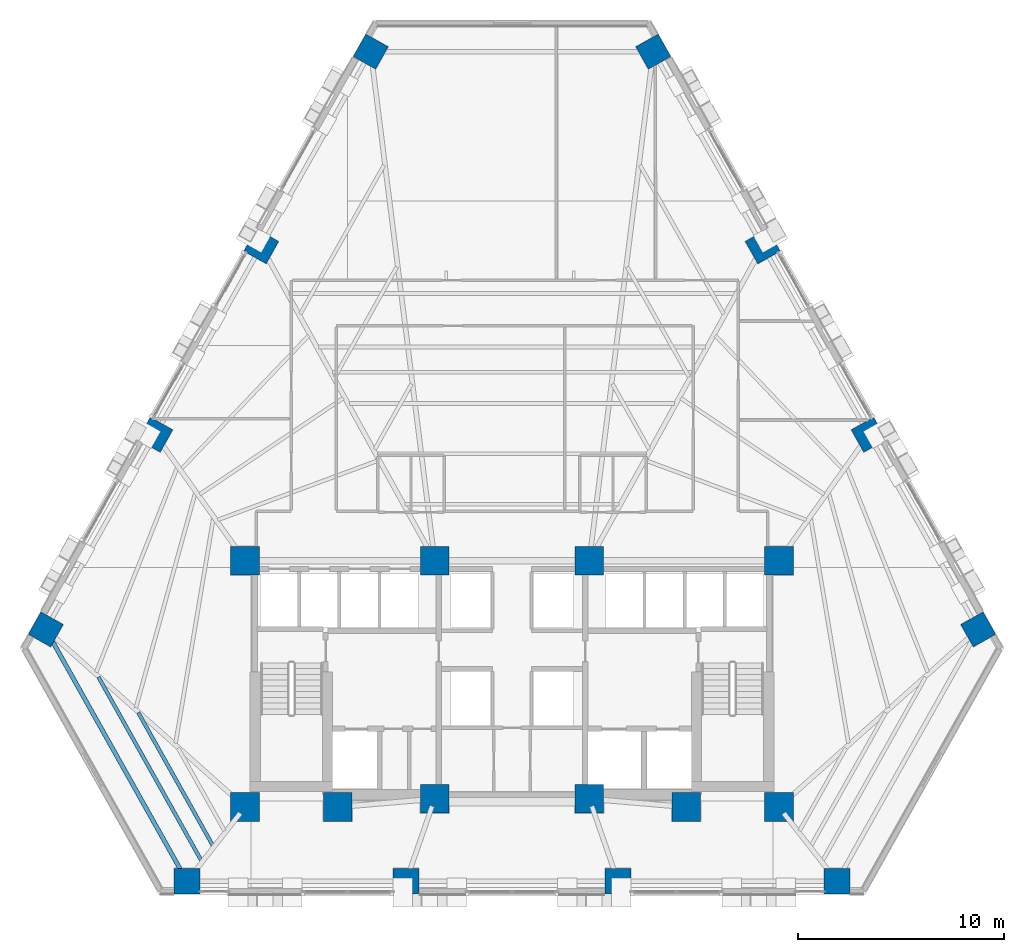
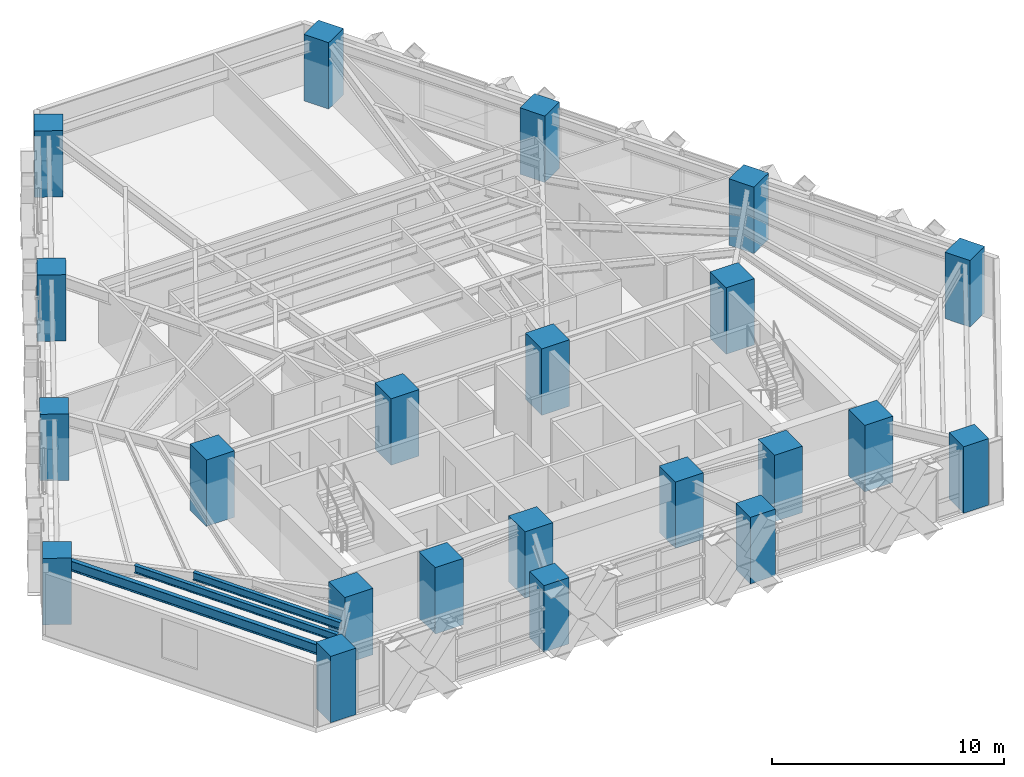
# One storey, part 1 of 13: 22 columns, 3 beams.
"""IFC4 building model written with IfcOpenShell, lengths in metres."""

from ifc_helpers import new_model, si_unit, direction, frame, origin, origin_2d, place, context, subcontext, project, spatial, rectangle, i_section, extrude, material, material_profile, profile_set, type_object, element, save


model = new_model("IFC4")

# Units and contexts
model_context = context("Model", 3, precision=1e-05, world=origin(), true_north=direction((0.0, 1.0)))
body_context = subcontext(model_context, "Body", "Model", "MODEL_VIEW")
ifc_project = project(units=[si_unit("LENGTHUNIT", "METRE"), si_unit("AREAUNIT", "SQUARE_METRE"), si_unit("VOLUMEUNIT", "CUBIC_METRE"), si_unit("PLANEANGLEUNIT", "RADIAN"), si_unit("MASSUNIT", "GRAM", prefix="KILO")], contexts=[model_context])

# Site, building, storey
site_placement = place(None, origin())
site = spatial("IfcSite", under=ifc_project, at=site_placement, CompositionType="ELEMENT")
building_placement = place(site_placement, origin())
building = spatial("IfcBuilding", under=site, at=building_placement, Name="Quenlor Broadcast Tower", CompositionType="ELEMENT")
storey_placement = place(building_placement, frame((0.0, 0.0, 52.10009765625)))
storey = spatial("IfcBuildingStorey", under=building, at=storey_placement, Name="L13", CompositionType="ELEMENT", Elevation=52.10009765625)

# Columns
ifc_material_1 = material(Name="Concrete C65/80", Category="concrete")
ifc_material_profile_1 = material_profile(ifc_material_1, rectangle(XDim=1.39990234375, YDim=1.39990234375, at=origin_2d()))
ifc_profile_set_1 = profile_set([ifc_material_profile_1], Name="Concrete C65/80 RC1400x1400")
column_type_1 = type_object("IfcColumnType", Name="Core Corner Column Lower Concrete C65/80 1400", PredefinedType="COLUMN", material=ifc_profile_set_1)
for number, where, z_axis, x_axis, name in (
    (1, (-12.949951171875, -16.75, 0.0), (0.0, 0.0, 1.0), (1.0, 0.0, 0.0), "L13 Core Column CC1"),
    (2, (-8.449951171875, -16.75, 0.0), (0.0, 0.0, 1.0), (1.0, 0.0, 0.0), "L13 Core Column CC2"),
    (3, (-3.75, -16.35009765625, 0.0), (0.0, 0.0, 1.0), (1.0, 0.0, 0.0), "L13 Core Column CC3"),
    (4, (3.75, -16.35009765625, 0.0), (0.0, 0.0, 1.0), (1.0, 0.0, 0.0), "L13 Core Column CC4"),
    (5, (8.449951171875, -16.75, 0.0), (0.0, 0.0, 1.0), (1.0, 0.0, 0.0), "L13 Core Column CC5"),
    (6, (12.949951171875, -16.75, 0.0), (0.0, 0.0, 1.0), (1.0, 0.0, 0.0), "L13 Core Column CC6"),
    (7, (-12.949951171875, -4.800048828125, 0.0), (0.0, 0.0, 1.0), (1.0, 0.0, 0.0), "L13 Core Column CC7"),
    (8, (-3.75, -4.800048828125, 0.0), (0.0, 0.0, 1.0), (1.0, 0.0, 0.0), "L13 Core Column CC8"),
    (9, (3.75, -4.800048828125, 0.0), (0.0, 0.0, 1.0), (1.0, 0.0, 0.0), "L13 Core Column CC9"),
    (10, (12.949951171875, -4.800048828125, 0.0), (0.0, 0.0, 1.0), (1.0, 0.0, 0.0), "L13 Core Column CC10"),
):
    element("IfcColumn", number, at=place(storey_placement, frame(where, z_axis=z_axis, x_axis=x_axis)), inside=storey, type_object=column_type_1, Name=name, PredefinedType="COLUMN", context=body_context, shape_type="SweptSolid", body=[
        extrude(rectangle(XDim=1.39990234375, YDim=1.39990234375, at=origin_2d()), origin(), (0.0, 0.0, 1.0), 3.5),
    ])
ifc_material_2 = material(Name="Concrete C65/80", Category="concrete")
ifc_material_profile_2 = material_profile(ifc_material_2, rectangle(XDim=1.25, YDim=1.25, at=origin_2d()))
ifc_profile_set_2 = profile_set([ifc_material_profile_2], Name="Concrete C65/80 RC1250x1250")
column_type_2 = type_object("IfcColumnType", Name="Tower Perimeter Column Z1 Concrete C65/80 1250", PredefinedType="COLUMN", material=ifc_profile_set_2)
for number, where, z_axis, x_axis, name in (
    (11, (-15.76513671875, -20.35009765625, 0.0), (0.0, 0.0, 1.0), (0.0, 1.0, 0.0), "L13 Perimeter Column S1"),
    (12, (-5.140869140625, -20.35009765625, 0.0), (0.0, 0.0, 1.0), (0.0, 1.0, 0.0), "L13 Perimeter Column S2"),
    (13, (5.140869140625, -20.35009765625, 0.0), (0.0, 0.0, 1.0), (0.0, 1.0, 0.0), "L13 Perimeter Column S3"),
    (14, (15.76513671875, -20.35009765625, 0.0), (0.0, 0.0, 1.0), (0.0, 1.0, 0.0), "L13 Perimeter Column S4"),
    (15, (22.6162109375, -8.132080078125, 0.0), (0.0, 0.0, 1.0), (0.871575139605, 0.490261946333, 0.0), "L13 Perimeter Column NE1"),
    (16, (17.303955078125, 1.311767578125, 0.0), (0.0, 0.0, 1.0), (0.871575139605, 0.490261946333, 0.0), "L13 Perimeter Column NE2"),
    (17, (12.1630859375, 10.450927734375, 0.0), (0.0, 0.0, 1.0), (0.871575139605, 0.490261946333, 0.0), "L13 Perimeter Column NE3"),
    (18, (6.850830078125, 19.894775390625, 0.0), (0.0, 0.0, 1.0), (0.871575139605, 0.490261946333, 0.0), "L13 Perimeter Column NE4"),
    (19, (-6.850830078125, 19.894775390625, 0.0), (0.0, 0.0, 1.0), (-0.871575139605, 0.490261946333, 0.0), "L13 Perimeter Column NW1"),
    (20, (-12.1630859375, 10.450927734375, 0.0), (0.0, 0.0, 1.0), (-0.871575139605, 0.490261946333, 0.0), "L13 Perimeter Column NW2"),
    (21, (-17.303955078125, 1.311767578125, 0.0), (0.0, 0.0, 1.0), (-0.871575139605, 0.490261946333, 0.0), "L13 Perimeter Column NW3"),
    (22, (-22.6162109375, -8.132080078125, 0.0), (0.0, 0.0, 1.0), (-0.871575139605, 0.490261946333, 0.0), "L13 Perimeter Column NW4"),
):
    element("IfcColumn", number, at=place(storey_placement, frame(where, z_axis=z_axis, x_axis=x_axis)), inside=storey, type_object=column_type_2, Name=name, PredefinedType="COLUMN", context=body_context, shape_type="SweptSolid", body=[
        extrude(rectangle(XDim=1.25, YDim=1.25, at=origin_2d()), origin(), (0.0, 0.0, 1.0), 3.5),
    ])

# Beams
ifc_material_3 = material(Name="Steel S355", Category="steel")
ifc_material_profile_3 = material_profile(ifc_material_3, i_section(OverallWidth=0.208984375, OverallDepth=0.532958984375, WebThickness=0.01025390625, FlangeThickness=0.015625, FilletRadius=0.013916015625, at=origin_2d()))
ifc_profile_set_3 = profile_set([ifc_material_profile_3], Name="Steel S355 530UB92.4")
beam_type_1 = type_object("IfcBeamType", Name="Perimeter Spandrel Beam Z1 Steel S355 530UB92.4", PredefinedType="SPANDREL", material=ifc_profile_set_3)
beam_1_placement = place(storey_placement, frame((-22.41552734375, -8.48974609375, 2.9833984375), z_axis=(0.489090917871, -0.87223280955, 0.0), x_axis=(0.87223280955, 0.489090917871, 0.0)))
element("IfcBeam", 23, at=beam_1_placement, inside=storey, type_object=beam_type_1, Name="L13 Spandrel Beam NW4-S1", PredefinedType="SPANDREL", context=body_context, shape_type="SweptSolid", body=[
    extrude(i_section(OverallWidth=0.208984375, OverallDepth=0.532958984375, WebThickness=0.01025390625, FlangeThickness=0.015625, FilletRadius=0.013916015625, at=origin_2d()), origin(), (0.0, 0.0, 1.0), 13.187744140625),
])
ifc_material_4 = material(Name="Steel S355", Category="steel")
ifc_material_profile_4 = material_profile(ifc_material_4, i_section(OverallWidth=0.177978515625, OverallDepth=0.406494140625, WebThickness=0.0078125, FlangeThickness=0.0126953125, FilletRadius=0.011474609375, at=origin_2d()))
ifc_profile_set_4 = profile_set([ifc_material_profile_4], Name="Steel S355 410UB59.7")
beam_type_2 = type_object("IfcBeamType", Name="Tower Composite Joist Z1 Steel S355 410UB59.7", PredefinedType="JOIST", material=ifc_profile_set_4)
beam_2_placement = place(storey_placement, frame((-14.50927734375, -18.624267578125, 3.046630859375), z_axis=(-0.489088249322, 0.872234305892, 0.0), x_axis=(-0.872234305892, -0.489088249322, 0.0)))
element("IfcBeam", 24, at=beam_2_placement, inside=storey, type_object=beam_type_2, Name="L13 Secondary Composite Joist 20", PredefinedType="JOIST", context=body_context, shape_type="SweptSolid", body=[
    extrude(i_section(OverallWidth=0.177978515625, OverallDepth=0.406494140625, WebThickness=0.0078125, FlangeThickness=0.0126953125, FilletRadius=0.011474609375, at=origin_2d()), origin(), (0.0, 0.0, 1.0), 7.404296875),
])
beam_3_placement = place(storey_placement, frame((-15.072265625, -19.34423828125, 3.046630859375), z_axis=(-0.489081877778, 0.872237878579, 0.0), x_axis=(-0.872237878579, -0.489081877778, 0.0)))
element("IfcBeam", 25, at=beam_3_placement, inside=storey, type_object=beam_type_2, Name="L13 Secondary Composite Joist 21", PredefinedType="JOIST", context=body_context, shape_type="SweptSolid", body=[
    extrude(i_section(OverallWidth=0.177978515625, OverallDepth=0.406494140625, WebThickness=0.0078125, FlangeThickness=0.0126953125, FilletRadius=0.011474609375, at=origin_2d()), origin(), (0.0, 0.0, 1.0), 10.205810546875),
])

save(model, "model.ifc")
